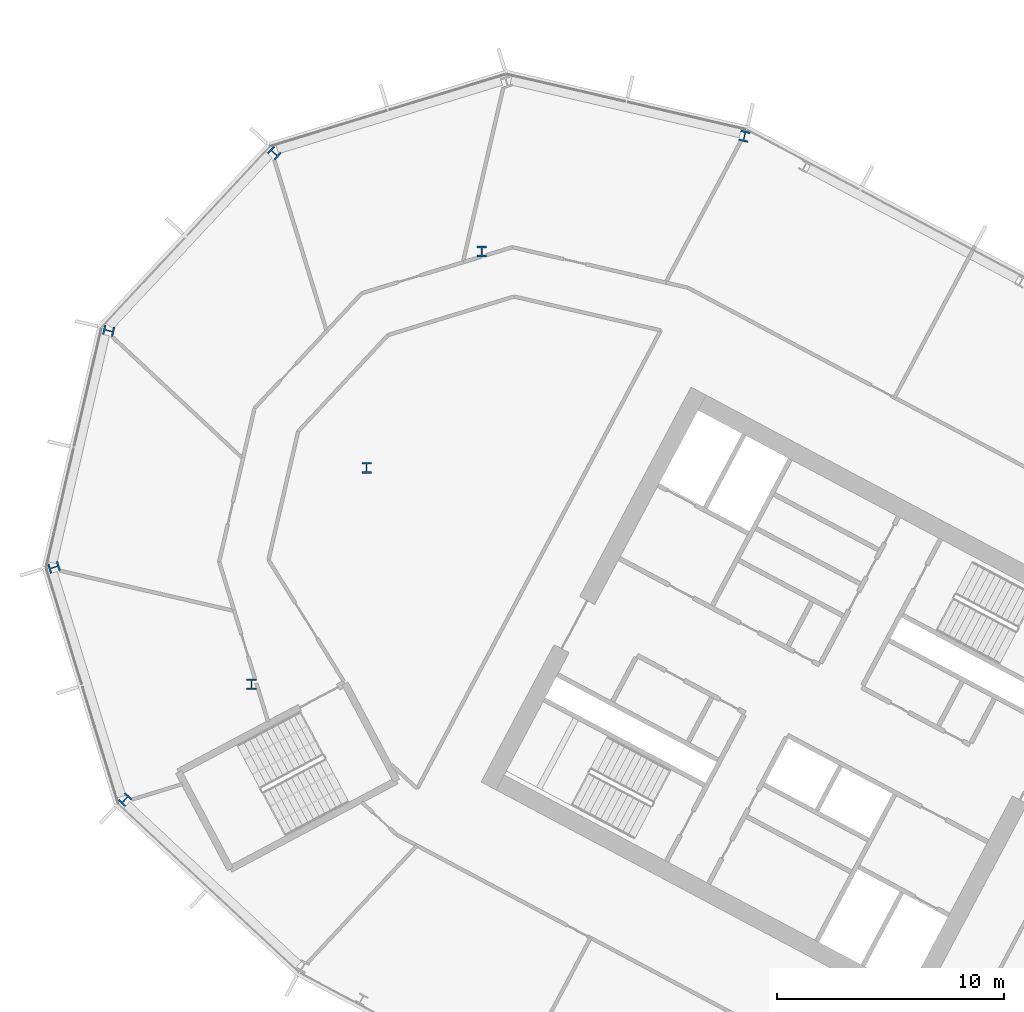
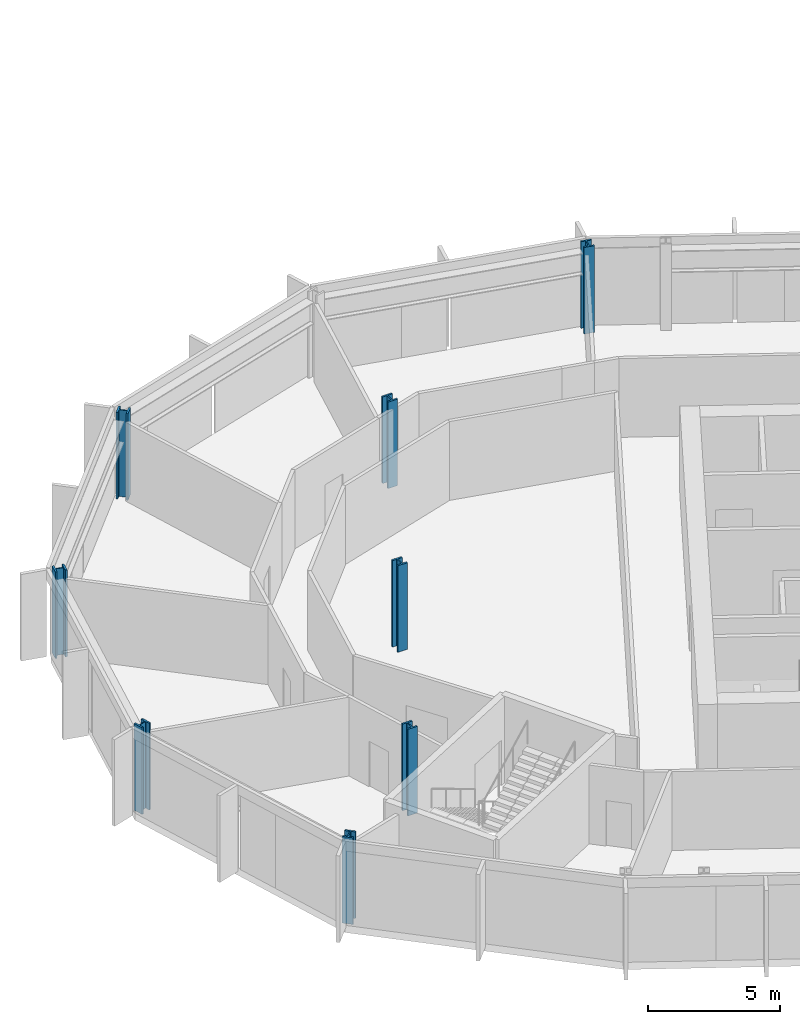
# One storey, part 3 of 28: 8 columns.
"""IFC4 building model written with IfcOpenShell, lengths in metres."""

from ifc_helpers import new_model, si_unit, direction, frame, origin, origin_2d, place, context, subcontext, project, spatial, i_section, extrude, material, material_profile, profile_set, type_object, element, save


model = new_model("IFC4")

# Units and contexts
model_context = context("Model", 3, precision=1e-05, world=origin(), true_north=direction((0.0, 1.0)))
body_context = subcontext(model_context, "Body", "Model", "MODEL_VIEW")
ifc_project = project(units=[si_unit("LENGTHUNIT", "METRE"), si_unit("AREAUNIT", "SQUARE_METRE"), si_unit("VOLUMEUNIT", "CUBIC_METRE"), si_unit("PLANEANGLEUNIT", "RADIAN"), si_unit("MASSUNIT", "GRAM", prefix="KILO")], contexts=[model_context])

# Site, building, storey
site_placement = place(None, origin())
site = spatial("IfcSite", under=ifc_project, at=site_placement, CompositionType="ELEMENT")
building_placement = place(site_placement, origin())
building = spatial("IfcBuilding", under=site, at=building_placement, Name="Cormorant Relay Tower", CompositionType="ELEMENT")
storey_placement = place(building_placement, frame((0.0, 0.0, 126.199951171875)))
storey = spatial("IfcBuildingStorey", under=building, at=storey_placement, Name="L25", CompositionType="ELEMENT", Elevation=126.199951171875)

# Columns
ifc_material = material(Name="Steel ASTM A992 (Fy 345 MPa)", Category="steel")
ifc_material_profile = material_profile(ifc_material, i_section(OverallWidth=0.42431640625, OverallDepth=0.47509765625, WebThickness=0.0478515625, FlangeThickness=0.0771484375, FilletRadius=0.014892578125, at=origin_2d()), Name="W360x634")
ifc_profile_set = profile_set([ifc_material_profile], Name="Steel ASTM A992 (Fy 345 MPa)")
column_type = type_object("IfcColumnType", Name="Column W360x634", PredefinedType="COLUMN", material=ifc_profile_set)
for number, where, z_axis, x_axis, name in (
    (1, (-57.261962890625, 10.173095703125, 0.0), (0.0, 0.0, 1.0), (0.731353701619, -0.681998360062, 0.0), "Column L25-022"),
    (2, (-51.68994140625, 15.251953125, 0.0), (0.0, 0.0, 1.0), (1.0, 0.0, 0.0), "Column L25-028"),
    (3, (-60.389892578125, 20.405029296875, 0.0), (0.0, 0.0, 1.0), (0.292371704723, -0.956304755963, 0.0), "Column L25-030"),
    (4, (-46.6201171875, 24.7880859375, 0.0), (0.0, 0.0, 1.0), (1.0, 0.0, 0.0), "Column L25-033"),
    (5, (-57.98291015625, 30.830078125, 0.0), (0.0, 0.0, 1.0), (-0.224951054344, -0.974370064785, 0.0), "Column L25-037"),
    (6, (-41.549072265625, 34.323974609375, 0.0), (0.0, 0.0, 1.0), (1.0, 0.0, 0.0), "Column L25-041"),
    (7, (-50.68603515625, 38.655029296875, 0.0), (0.0, 0.0, 1.0), (-0.681998360062, -0.731353701619, 0.0), "Column L25-045"),
    (8, (-29.97509765625, 39.39599609375, 0.0), (0.0, 0.0, 1.0), (-0.974370064785, 0.224951054344, 0.0), "Column L25-046"),
):
    element("IfcColumn", number, at=place(storey_placement, frame(where, z_axis=z_axis, x_axis=x_axis)), inside=storey, type_object=column_type, Name=name, PredefinedType="COLUMN", context=body_context, shape_type="SweptSolid", body=[
        extrude(i_section(OverallWidth=0.42431640625, OverallDepth=0.47509765625, WebThickness=0.0478515625, FlangeThickness=0.0771484375, FilletRadius=0.014892578125, at=origin_2d()), origin(), (0.0, 0.0, 1.0), 4.0),
    ])

save(model, "model.ifc")
